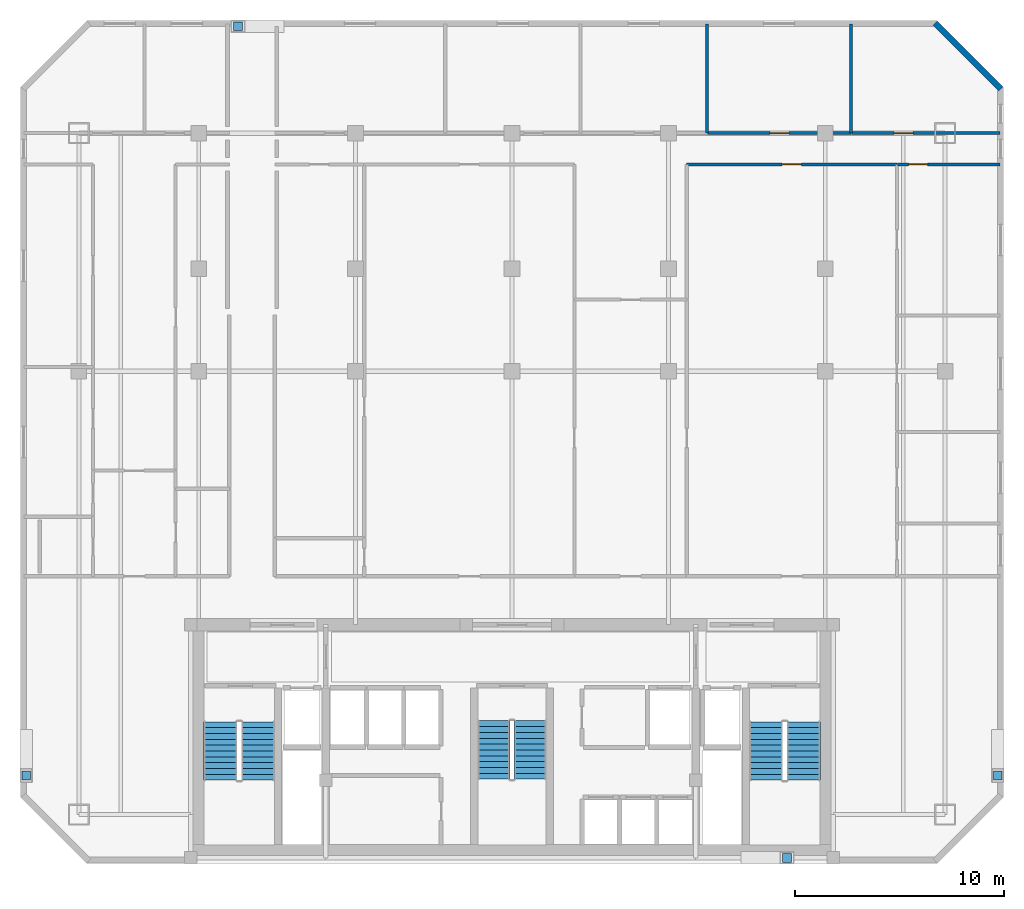
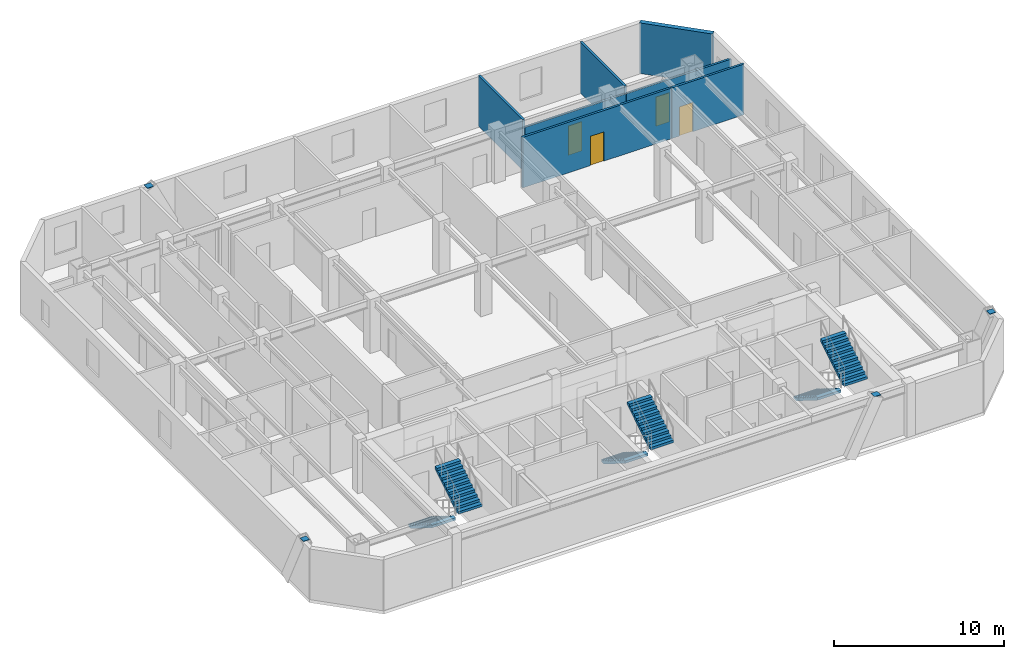
# One storey, part 6 of 7: 7 walls, 6 stair flights, 4 discrete accessories, 4 doors, 4 openings, 3 elements without a shape of their own.
"""IFC4 building model written with IfcOpenShell, lengths in metres."""

import ifcopenshell
import ifcopenshell.guid

model = None  # the IFC model being written
_history = None  # IfcOwnerHistory: only IFC2X3 demands one
_inside = {}  # id of a spatial element -> (the spatial element, [elements in it])
_under = {}  # id of a project, library or spatial element -> (it, [spatial elements below it])
_declared = {}  # id of a project -> (the project, [libraries it declares])
_typed = {}  # id of a type object -> (the type object, [elements of that type])
_made_of = {}  # id of a material, layer set ... -> (it, [elements and type objects made of it])


def new_model(schema):
    """Start an empty IFC model of exactly this schema.

    Asked for "IFC4X3", IfcOpenShell would pick the latest addendum, in which some entities
    have other attributes; the version numbers below select the first issue.
    IFC2X3 requires an IfcOwnerHistory on every rooted entity: one is made here for all.
    """
    global model, _history
    if schema == "IFC4X3":
        model = ifcopenshell.file(schema_version=(4, 3, 0, 0))
    else:
        model = ifcopenshell.file(schema=schema)
    _inside.clear()
    _under.clear()
    _declared.clear()
    _typed.clear()
    _made_of.clear()
    _history = None
    if model.schema == "IFC2X3":
        org = make("IfcOrganization", Name="unknown")
        user = make(
            "IfcPersonAndOrganization",
            ThePerson=make("IfcPerson", FamilyName="unknown"),
            TheOrganization=org,
        )
        app = make(
            "IfcApplication",
            ApplicationDeveloper=org,
            Version="unknown",
            ApplicationFullName="unknown",
            ApplicationIdentifier="unknown",
        )
        _history = make(
            "IfcOwnerHistory",
            OwningUser=user,
            OwningApplication=app,
            ChangeAction="ADDED",
            CreationDate=0,
        )
    return model


def make(cls, **values):
    """One entity of the class cls with the attributes given. An attribute that is None is left unset."""
    return model.create_entity(
        cls, **{name: value for name, value in values.items() if value is not None}
    )


def rooted(cls, **values):
    """An entity with a GlobalId (a new one), such as an element, a storey or a relation."""
    return make(cls, GlobalId=ifcopenshell.guid.new(), OwnerHistory=_history, **values)


def si_unit(unit_type, name, prefix=None):
    """IfcSIUnit, for example si_unit("LENGTHUNIT", "METRE", prefix="MILLI")."""
    return make("IfcSIUnit", UnitType=unit_type, Prefix=prefix, Name=name)


def assignment(units):
    """IfcUnitAssignment: the units of a project."""
    return None if units is None else make("IfcUnitAssignment", Units=units)


def point(xyz):
    """IfcCartesianPoint."""
    return None if xyz is None else make("IfcCartesianPoint", Coordinates=xyz)


def direction(xyz):
    """IfcDirection."""
    return None if xyz is None else make("IfcDirection", DirectionRatios=xyz)


def frame(location, z_axis=None, x_axis=None):
    """IfcAxis2Placement3D, a coordinate frame: its origin and axes. An axis left out is left unset."""
    return make(
        "IfcAxis2Placement3D",
        Location=point(location),
        Axis=direction(z_axis),
        RefDirection=direction(x_axis),
    )


def frame_2d(location, x_axis=None):
    """IfcAxis2Placement2D, a coordinate frame in the plane: its origin and x axis."""
    return make(
        "IfcAxis2Placement2D", Location=point(location), RefDirection=direction(x_axis)
    )


def origin():
    """The frame at (0, 0, 0) with its axes left unset."""
    return frame((0.0, 0.0, 0.0))


def origin_2d():
    """The frame at (0, 0) in the plane with its x axis left unset."""
    return frame_2d((0.0, 0.0))


def place(relative_to, where):
    """IfcLocalPlacement: puts the frame where relative to a parent placement (None: the world)."""
    return make(
        "IfcLocalPlacement", PlacementRelTo=relative_to, RelativePlacement=where
    )


def context(
    kind, dimensions, precision=None, world=None, true_north=None, identifier=None
):
    """IfcGeometricRepresentationContext, for example the 3D "Model" context."""
    return make(
        "IfcGeometricRepresentationContext",
        ContextIdentifier=identifier,
        ContextType=kind,
        CoordinateSpaceDimension=dimensions,
        Precision=precision,
        WorldCoordinateSystem=world,
        TrueNorth=true_north,
    )


def subcontext(parent, identifier, kind, view, scale=None):
    """IfcGeometricRepresentationSubContext, for example "Body" below "Model"."""
    return make(
        "IfcGeometricRepresentationSubContext",
        ContextIdentifier=identifier,
        ContextType=kind,
        ParentContext=parent,
        TargetScale=scale,
        TargetView=view,
    )


def project(units=None, contexts=None):
    """IfcProject with its units and contexts."""
    return rooted(
        "IfcProject",
        Name="project",
        RepresentationContexts=contexts,
        UnitsInContext=assignment(units),
    )


def spatial(cls, under=None, at=None, **own):
    """A site, building, storey or space (cls), placed at a placement, below another one or the project."""
    s = rooted(cls, ObjectPlacement=at, **own)
    if under is not None:
        _under.setdefault(under.id(), (under, []))[1].append(s)
    return s


def polyline(points):
    """IfcPolyline through the points."""
    return make("IfcPolyline", Points=[point(p) for p in points])


def profile(cls, at=None, kind="AREA", **sizes):
    """A parametric profile (cls). Its sizes go by their IFC names, for example OverallWidth=200.0."""
    return make(cls, ProfileType=kind, Position=at, **sizes)


def rectangle(**sizes):
    """IfcRectangleProfileDef."""
    return profile("IfcRectangleProfileDef", **sizes)


def outline(outer, holes=None, kind="AREA"):
    """IfcArbitraryClosedProfileDef: a profile drawn as a closed curve; with holes, ...WithVoids."""
    if holes is None:
        return make("IfcArbitraryClosedProfileDef", ProfileType=kind, OuterCurve=outer)
    return make(
        "IfcArbitraryProfileDefWithVoids",
        ProfileType=kind,
        OuterCurve=outer,
        InnerCurves=holes,
    )


def extrude(swept, where, along, depth):
    """IfcExtrudedAreaSolid: the profile swept, set in the frame where, extruded along a direction by depth."""
    return make(
        "IfcExtrudedAreaSolid",
        SweptArea=swept,
        Position=where,
        ExtrudedDirection=direction(along),
        Depth=depth,
    )


def shape(context_of_items, identifier, shape_type, items):
    """IfcShapeRepresentation: the items that make up one representation, for example the "Body"."""
    return make(
        "IfcShapeRepresentation",
        ContextOfItems=context_of_items,
        RepresentationIdentifier=identifier,
        RepresentationType=shape_type,
        Items=items,
    )


def material(Name=None, Category=None):
    """IfcMaterial."""
    return make("IfcMaterial", Name=Name, Category=Category)


def layer(
    of_material, thickness, ventilated=None, Name=None, Category=None, Priority=None
):
    """IfcMaterialLayer: one layer of a wall or slab, of a material (None: an air gap)."""
    return make(
        "IfcMaterialLayer",
        Material=of_material,
        LayerThickness=thickness,
        IsVentilated=ventilated,
        Name=Name,
        Category=Category,
        Priority=Priority,
    )


def layer_set(layers, Name=None):
    """IfcMaterialLayerSet."""
    return make("IfcMaterialLayerSet", MaterialLayers=layers, LayerSetName=Name)


def made_of(thing, what):
    """Note that an element or type object is made of a material, layer set ...; save() writes the relation."""
    if what is not None:
        _made_of.setdefault(what.id(), (what, []))[1].append(thing)
    return thing


def type_object(cls, material=None, **own):
    """A type object (cls), such as IfcWallType, which elements share."""
    return made_of(rooted(cls, **own), material)


def element(
    cls,
    number,
    at=None,
    inside=None,
    cuts=None,
    type_object=None,
    material=None,
    context=None,
    identifier="Body",
    shape_type=None,
    held_by="IfcProductDefinitionShape",
    body=None,
    shapes=None,
    **own,
):
    """One element of the class cls, such as IfcWall. Its Tag is "e" and its number.

    at: its placement. inside: the storey or other place that contains it. cuts: it is an
    opening in that element (IfcRelVoidsElement). A single representation is given by context,
    identifier, shape_type and body (its items); several are given by shapes. held_by: the class
    of the entity that holds the representations. save() writes the other relations.
    """
    e = rooted(cls, Tag="e%d" % number, ObjectPlacement=at, **own)
    if body is not None:
        shapes = [shape(context, identifier, shape_type, body)]
    if shapes is not None:
        e.Representation = make(held_by, Representations=shapes)
    if inside is not None:
        _inside.setdefault(inside.id(), (inside, []))[1].append(e)
    if cuts is not None:
        rooted(
            "IfcRelVoidsElement", RelatingBuildingElement=cuts, RelatedOpeningElement=e
        )
    if type_object is not None:
        _typed.setdefault(type_object.id(), (type_object, []))[1].append(e)
    return made_of(e, material)


def fill(opening, filler):
    """IfcRelFillsElement: the door or window that sits in an opening."""
    return rooted(
        "IfcRelFillsElement",
        RelatingOpeningElement=opening,
        RelatedBuildingElement=filler,
    )


def aggregate(whole, parts):
    """IfcRelAggregates: a whole, such as a stair, and the parts it consists of."""
    return rooted("IfcRelAggregates", RelatingObject=whole, RelatedObjects=parts)


def save(model, path):
    """Write the relations noted so far, then the file.

    IfcRelAggregates (storeys below a building ...), IfcRelContainedInSpatialStructure (elements
    in a storey), IfcRelDefinesByType, IfcRelAssociatesMaterial and IfcRelDeclares: one each for
    every whole, place, type object, material and project.
    """
    for whole, parts in _under.values():
        aggregate(whole, parts)
    for where, things in _inside.values():
        rooted(
            "IfcRelContainedInSpatialStructure",
            RelatedElements=things,
            RelatingStructure=where,
        )
    for kind, things in _typed.values():
        rooted("IfcRelDefinesByType", RelatedObjects=things, RelatingType=kind)
    for what, things in _made_of.values():
        rooted("IfcRelAssociatesMaterial", RelatedObjects=things, RelatingMaterial=what)
    for by, libraries in _declared.values():
        rooted("IfcRelDeclares", RelatingContext=by, RelatedDefinitions=libraries)
    model.write(path)


model = new_model("IFC4")

# Units and contexts
model_context = context("Model", 3, precision=1e-05, world=origin(), true_north=direction((0.0, 1.0)))
body_context = subcontext(model_context, "Body", "Model", "MODEL_VIEW")
ifc_project = project(units=[si_unit("LENGTHUNIT", "METRE"), si_unit("AREAUNIT", "SQUARE_METRE"), si_unit("VOLUMEUNIT", "CUBIC_METRE"), si_unit("PLANEANGLEUNIT", "RADIAN"), si_unit("MASSUNIT", "GRAM", prefix="KILO")], contexts=[model_context])

# Site, building, storey
site_placement = place(None, origin())
site = spatial("IfcSite", under=ifc_project, at=site_placement, CompositionType="ELEMENT")
building_placement = place(site_placement, origin())
building = spatial("IfcBuilding", under=site, at=building_placement, Name="Ventersveld Concourse Tower", CompositionType="ELEMENT")
storey_placement = place(building_placement, frame((0.0, 0.0, 211.85009765625)))
storey = spatial("IfcBuildingStorey", under=building, at=storey_placement, Name="L52", CompositionType="ELEMENT", Elevation=211.85009765625)

# Wall, opening, door
ifc_material_1 = material(Name="Autoclaved aerated masonry blockwork", Category="masonry")
ifc_layer_1 = layer(ifc_material_1, 0.14990234375)
ifc_layer_set_1 = layer_set([ifc_layer_1], Name="Autoclaved aerated masonry blockwork")
wall_type_1 = type_object("IfcWallType", Name="WL-INT-150", PredefinedType="PARTITIONING", material=ifc_layer_set_1)
wall_1_placement = place(storey_placement, frame((37.114990234375, 33.5, 0.0), z_axis=(0.0, 0.0, 1.0), x_axis=(1.0, 0.0, 0.0)))
wall_1 = element("IfcWall", 1, at=wall_1_placement, inside=storey, type_object=wall_type_1, Name="L52 Interior Partition SP-L52-52N1-EGAL1-SP-L52-52N1-LIV", PredefinedType="PARTITIONING", context=body_context, shape_type="SweptSolid", body=[
    extrude(rectangle(XDim=10.080078125, YDim=0.14990234375, at=frame_2d((5.0400390625, 0.0))), origin(), (0.0, 0.0, 1.0), 3.6298828125),
])
opening_1_placement = place(wall_1_placement, frame((4.580078125, 0.0, 0.0)))
opening_1 = element("IfcOpeningElement", 2, at=opening_1_placement, cuts=wall_1, Name="Opening ID1", PredefinedType="OPENING", context=body_context, shape_type="SweptSolid", body=[
    extrude(rectangle(XDim=0.919921875, YDim=2.10009765625, at=frame_2d((0.4599609375, 1.050048828125))), frame((0.0, 0.0849609375, 0.0), z_axis=(0.0, -1.0, 0.0), x_axis=(1.0, 0.0, 0.0)), (0.0, 0.0, 1.0), 0.169921875),
])
ifc_material_2 = material(Name="Solid-core hardwood veneer timber", Category="wood")
door_type = type_object("IfcDoorType", Name="DR-ROOM-092", OperationType="NOTDEFINED", PredefinedType="DOOR", material=ifc_material_2)
door_1_placement = place(opening_1_placement, origin())
door_1 = element("IfcDoor", 3, at=door_1_placement, inside=storey, type_object=door_type, Name="L52 Interior Door SP-L52-52N1-EGAL1 to SP-L52-52N1-LIV (D-L52-2540)", OperationType="SINGLE_SWING_RIGHT", OverallHeight=2.10009765625, OverallWidth=0.919921875, PredefinedType="DOOR", context=body_context, shape_type="SweptSolid", body=[
    extrude(rectangle(XDim=0.919921875, YDim=2.10009765625, at=frame_2d((0.4599609375, 1.050048828125))), frame((0.0, 0.02490234375, 0.0), z_axis=(0.0, -1.0, 0.0), x_axis=(1.0, 0.0, 0.0)), (0.0, 0.0, 1.0), 0.050048828125),
])
fill(opening_1, door_1)

wall_2_placement = place(storey_placement, frame((47.22509765625, 33.5, 0.0), z_axis=(0.0, 0.0, 1.0), x_axis=(1.0, 0.0, 0.0)))
wall_2 = element("IfcWall", 4, at=wall_2_placement, inside=storey, type_object=wall_type_1, Name="L52 Interior Partition SP-L52-52N1-LIV-SP-L52-52N1-DENS2", PredefinedType="PARTITIONING", context=body_context, shape_type="SweptSolid", body=[
    extrude(rectangle(XDim=4.90234375, YDim=0.14990234375, at=frame_2d((2.451171875, 0.0))), origin(), (0.0, 0.0, 1.0), 3.6298828125),
])
opening_2_placement = place(wall_2_placement, frame((0.5205078125, 0.0, 0.0)))
opening_2 = element("IfcOpeningElement", 5, at=opening_2_placement, cuts=wall_2, Name="Opening ID1", PredefinedType="OPENING", context=body_context, shape_type="SweptSolid", body=[
    extrude(rectangle(XDim=0.919921875, YDim=2.10009765625, at=frame_2d((0.4599609375, 1.050048828125))), frame((0.0, 0.0849609375, 0.0), z_axis=(0.0, -1.0, 0.0), x_axis=(1.0, 0.0, 0.0)), (0.0, 0.0, 1.0), 0.169921875),
])
door_2_placement = place(opening_2_placement, origin())
door_2 = element("IfcDoor", 6, at=door_2_placement, inside=storey, type_object=door_type, Name="L52 Interior Door SP-L52-52N1-LIV to SP-L52-52N1-DENS2 (D-L52-2547)", OperationType="SINGLE_SWING_LEFT", OverallHeight=2.10009765625, OverallWidth=0.919921875, PredefinedType="DOOR", context=body_context, shape_type="SweptSolid", body=[
    extrude(rectangle(XDim=0.919921875, YDim=2.10009765625, at=frame_2d((0.4599609375, 1.050048828125))), frame((0.0, 0.02490234375, 0.0), z_axis=(0.0, -1.0, 0.0), x_axis=(1.0, 0.0, 0.0)), (0.0, 0.0, 1.0), 0.050048828125),
])
fill(opening_2, door_2)

wall_3_placement = place(storey_placement, frame((38.125, 35.0, 0.0), z_axis=(0.0, 0.0, 1.0), x_axis=(1.0, 0.0, 0.0)))
wall_3 = element("IfcWall", 7, at=wall_3_placement, inside=storey, type_object=wall_type_1, Name="L52 Interior Partition SP-L52-52N1-LIV-SP-L52-52N1-BR4", PredefinedType="PARTITIONING", context=body_context, shape_type="SweptSolid", body=[
    extrude(rectangle(XDim=6.8701171875, YDim=0.14990234375, at=frame_2d((3.43505859375, 0.0))), origin(), (0.0, 0.0, 1.0), 3.08544921875),
])
opening_3_placement = place(wall_3_placement, frame((2.97509765625, 0.0, 0.0)))
opening_3 = element("IfcOpeningElement", 8, at=opening_3_placement, cuts=wall_3, Name="Opening ID1", PredefinedType="OPENING", context=body_context, shape_type="SweptSolid", body=[
    extrude(rectangle(XDim=0.919921875, YDim=2.10009765625, at=frame_2d((0.4599609375, 1.050048828125))), frame((0.0, 0.0849609375, 0.0), z_axis=(0.0, -1.0, 0.0), x_axis=(1.0, 0.0, 0.0)), (0.0, 0.0, 1.0), 0.169921875),
])
door_3_placement = place(opening_3_placement, origin())
door_3 = element("IfcDoor", 9, at=door_3_placement, inside=storey, type_object=door_type, Name="L52 Interior Door SP-L52-52N1-LIV to SP-L52-52N1-BR4 (D-L52-2551)", OperationType="SINGLE_SWING_LEFT", OverallHeight=2.10009765625, OverallWidth=0.919921875, PredefinedType="DOOR", context=body_context, shape_type="SweptSolid", body=[
    extrude(rectangle(XDim=0.919921875, YDim=2.10009765625, at=frame_2d((0.4599609375, 1.050048828125))), frame((0.0, 0.02490234375, 0.0), z_axis=(0.0, -1.0, 0.0), x_axis=(1.0, 0.0, 0.0)), (0.0, 0.0, 1.0), 0.050048828125),
])
fill(opening_3, door_3)

wall_4_placement = place(storey_placement, frame((45.02490234375, 35.0, 0.0), z_axis=(0.0, 0.0, 1.0), x_axis=(1.0, 0.0, 0.0)))
wall_4 = element("IfcWall", 10, at=wall_4_placement, inside=storey, type_object=wall_type_1, Name="L52 Interior Partition SP-L52-52N1-LIV-SP-L52-52N1-BR5", PredefinedType="PARTITIONING", context=body_context, shape_type="SweptSolid", body=[
    extrude(rectangle(XDim=7.1025390625, YDim=0.14990234375, at=frame_2d((3.55126953125, 0.0))), origin(), (0.0, 0.0, 1.0), 3.08544921875),
])
opening_4_placement = place(wall_4_placement, frame((2.02587890625, 0.0, 0.0)))
opening_4 = element("IfcOpeningElement", 11, at=opening_4_placement, cuts=wall_4, Name="Opening ID1", PredefinedType="OPENING", context=body_context, shape_type="SweptSolid", body=[
    extrude(rectangle(XDim=0.919921875, YDim=2.10009765625, at=frame_2d((0.4599609375, 1.050048828125))), frame((0.0, 0.0849609375, 0.0), z_axis=(0.0, -1.0, 0.0), x_axis=(1.0, 0.0, 0.0)), (0.0, 0.0, 1.0), 0.169921875),
])
door_4_placement = place(opening_4_placement, origin())
door_4 = element("IfcDoor", 12, at=door_4_placement, inside=storey, type_object=door_type, Name="L52 Interior Door SP-L52-52N1-LIV to SP-L52-52N1-BR5 (D-L52-2552)", OperationType="SINGLE_SWING_RIGHT", OverallHeight=2.10009765625, OverallWidth=0.919921875, PredefinedType="DOOR", context=body_context, shape_type="SweptSolid", body=[
    extrude(rectangle(XDim=0.919921875, YDim=2.10009765625, at=frame_2d((0.4599609375, 1.050048828125))), frame((0.0, 0.02490234375, 0.0), z_axis=(0.0, -1.0, 0.0), x_axis=(1.0, 0.0, 0.0)), (0.0, 0.0, 1.0), 0.050048828125),
])
fill(opening_4, door_4)

# Walls
for number, where, z_axis, x_axis, name in (
    (13, (38.090087890625, 34.9951171875, 0.0), (0.0, 0.0, 1.0), (0.0, 1.0, 0.0), "L52 Interior Partition SP-L52-52N1-BR3-SP-L52-52N1-BR4"),
    (14, (44.989990234375, 34.9951171875, 0.0), (0.0, 0.0, 1.0), (0.0, 1.0, 0.0), "L52 Interior Partition SP-L52-52N1-BR4-SP-L52-52N1-BR5"),
):
    element("IfcWall", number, at=place(storey_placement, frame(where, z_axis=z_axis, x_axis=x_axis)), inside=storey, type_object=wall_type_1, Name=name, PredefinedType="PARTITIONING", context=body_context, shape_type="SweptSolid", body=[
        extrude(rectangle(XDim=5.232421875, YDim=0.14990234375, at=frame_2d((2.6162109375, 0.0))), origin(), (0.0, 0.0, 1.0), 3.6298828125),
    ])
ifc_material_3 = material(Name="Precast concrete C45/55", Category="concrete")
ifc_layer_2 = layer(ifc_material_3, 0.300048828125)
ifc_layer_set_2 = layer_set([ifc_layer_2], Name="Precast concrete C45/55")
wall_type_2 = type_object("IfcWallType", Name="WL-PREC-300", PredefinedType="SOLIDWALL", material=ifc_layer_set_2)
wall_5_placement = place(storey_placement, frame((52.16552734375, 37.122314453125, 0.0), z_axis=(0.0, 0.0, 1.0), x_axis=(-0.707106781187, 0.707106781187, 0.0)))
element("IfcWall", 15, at=wall_5_placement, inside=storey, type_object=wall_type_2, Name="L52 Highveld Precast Facade Wall E04", PredefinedType="SOLIDWALL", context=body_context, shape_type="SweptSolid", body=[
    extrude(rectangle(XDim=4.4453125, YDim=0.300048828125, at=frame_2d((2.22265625, 0.0))), origin(), (0.0, 0.0, 1.0), 3.6298828125),
])

# Stair, stair flights
ifc_material_4 = material(Name="Concrete C50/60", Category="concrete")
stair_type_1 = type_object("IfcStairType", Name="ST-DOG-155", PredefinedType="HALF_TURN_STAIR", material=ifc_material_4)
stair_1_placement = place(storey_placement, origin())
stair_1 = element("IfcStair", 16, at=stair_1_placement, inside=storey, type_object=stair_type_1, Name="L52 Protected Central Core Escape Stair ST-03", PredefinedType="HALF_TURN_STAIR")
stair_flight_type_1 = type_object("IfcStairFlightType", Name="STF-RC-155", PredefinedType="STRAIGHT", material=ifc_material_4)
stair_flight_1_placement = place(storey_placement, frame((27.875, 6.85009765625, 0.0), z_axis=(0.0, 0.0, 1.0), x_axis=(0.0, -1.0, 0.0)))
stair_flight_1 = element("IfcStairFlight", 17, at=stair_flight_1_placement, type_object=stair_flight_type_1, Name="ST-03 flight 1", NumberOfRisers=11, NumberOfTreads=10, PredefinedType="STRAIGHT", RiserHeight=0.175, TreadLength=0.28, context=body_context, shape_type="SweptSolid", body=[
    extrude(outline(polyline([(0.0, 0.0), (0.0, 0.175048828125), (0.280029296875, 0.175048828125), (0.280029296875, 0.35009765625), (0.56005859375, 0.35009765625), (0.56005859375, 0.52490234375), (0.840087890625, 0.52490234375), (0.840087890625, 0.699951171875), (1.1201171875, 0.699951171875), (1.1201171875, 0.875), (1.39990234375, 0.875), (1.39990234375, 1.050048828125), (1.679931640625, 1.050048828125), (1.679931640625, 1.22509765625), (1.9599609375, 1.22509765625), (1.9599609375, 1.39990234375), (2.239990234375, 1.39990234375), (2.239990234375, 1.574951171875), (2.52001953125, 1.574951171875), (2.52001953125, 1.75), (2.800048828125, 1.75), (2.800048828125, 1.925048828125), (2.800048828125, 1.5732421875), (0.28271484375, 0.0), (0.0, 0.0)])), frame((0.0, 0.77490234375, 0.0), z_axis=(0.0, -1.0, 0.0), x_axis=(1.0, 0.0, 0.0)), (0.0, 0.0, 1.0), 1.550048828125),
])
stair_flight_2_placement = place(storey_placement, frame((29.625, 4.050048828125, 1.9248046875), z_axis=(0.0, 0.0, 1.0), x_axis=(0.0, 1.0, 0.0)))
stair_flight_2 = element("IfcStairFlight", 18, at=stair_flight_2_placement, type_object=stair_flight_type_1, Name="ST-03 flight 2", NumberOfRisers=11, NumberOfTreads=10, PredefinedType="STRAIGHT", RiserHeight=0.175, TreadLength=0.28, context=body_context, shape_type="SweptSolid", body=[
    extrude(outline(polyline([(0.0, 0.0), (0.0, 0.175048828125), (0.280029296875, 0.175048828125), (0.280029296875, 0.35009765625), (0.56005859375, 0.35009765625), (0.56005859375, 0.52490234375), (0.840087890625, 0.52490234375), (0.840087890625, 0.699951171875), (1.1201171875, 0.699951171875), (1.1201171875, 0.875), (1.39990234375, 0.875), (1.39990234375, 1.050048828125), (1.679931640625, 1.050048828125), (1.679931640625, 1.22509765625), (1.9599609375, 1.22509765625), (1.9599609375, 1.39990234375), (2.239990234375, 1.39990234375), (2.239990234375, 1.574951171875), (2.52001953125, 1.574951171875), (2.52001953125, 1.75), (2.800048828125, 1.75), (2.800048828125, 1.925048828125), (2.800048828125, 1.5732421875), (0.28271484375, 0.0), (0.0, 0.0)])), frame((0.0, 0.77490234375, 0.0), z_axis=(0.0, -1.0, 0.0), x_axis=(1.0, 0.0, 0.0)), (0.0, 0.0, 1.0), 1.550048828125),
])
aggregate(stair_1, [stair_flight_1, stair_flight_2])

stair_type_2 = type_object("IfcStairType", Name="ST-DOG-160", PredefinedType="HALF_TURN_STAIR", material=ifc_material_4)
stair_2_placement = place(storey_placement, origin())
stair_2 = element("IfcStair", 19, at=stair_2_placement, inside=storey, type_object=stair_type_2, Name="L52 Protected Tower Escape Stair ST-01", PredefinedType="HALF_TURN_STAIR")
stair_flight_type_2 = type_object("IfcStairFlightType", Name="STF-RC-160", PredefinedType="STRAIGHT", material=ifc_material_4)
stair_flight_3_placement = place(storey_placement, frame((14.780029296875, 6.800048828125, 0.0), z_axis=(0.0, 0.0, 1.0), x_axis=(0.0, -1.0, 0.0)))
stair_flight_3 = element("IfcStairFlight", 20, at=stair_flight_3_placement, type_object=stair_flight_type_2, Name="ST-01 flight 1", NumberOfRisers=11, NumberOfTreads=10, PredefinedType="STRAIGHT", RiserHeight=0.175, TreadLength=0.28, context=body_context, shape_type="SweptSolid", body=[
    extrude(outline(polyline([(0.0, 0.0), (0.0, 0.175048828125), (0.280029296875, 0.175048828125), (0.280029296875, 0.35009765625), (0.56005859375, 0.35009765625), (0.56005859375, 0.52490234375), (0.840087890625, 0.52490234375), (0.840087890625, 0.699951171875), (1.1201171875, 0.699951171875), (1.1201171875, 0.875), (1.39990234375, 0.875), (1.39990234375, 1.050048828125), (1.679931640625, 1.050048828125), (1.679931640625, 1.22509765625), (1.9599609375, 1.22509765625), (1.9599609375, 1.39990234375), (2.239990234375, 1.39990234375), (2.239990234375, 1.574951171875), (2.52001953125, 1.574951171875), (2.52001953125, 1.75), (2.800048828125, 1.75), (2.800048828125, 1.925048828125), (2.800048828125, 1.5732421875), (0.28271484375, 0.0), (0.0, 0.0)])), frame((0.0, 0.800048828125, 0.0), z_axis=(0.0, -1.0, 0.0), x_axis=(1.0, 0.0, 0.0)), (0.0, 0.0, 1.0), 1.60009765625),
])
stair_flight_4_placement = place(storey_placement, frame((16.580078125, 4.0, 1.9248046875), z_axis=(0.0, 0.0, 1.0), x_axis=(0.0, 1.0, 0.0)))
stair_flight_4 = element("IfcStairFlight", 21, at=stair_flight_4_placement, type_object=stair_flight_type_2, Name="ST-01 flight 2", NumberOfRisers=11, NumberOfTreads=10, PredefinedType="STRAIGHT", RiserHeight=0.175, TreadLength=0.28, context=body_context, shape_type="SweptSolid", body=[
    extrude(outline(polyline([(0.0, 0.0), (0.0, 0.175048828125), (0.280029296875, 0.175048828125), (0.280029296875, 0.35009765625), (0.56005859375, 0.35009765625), (0.56005859375, 0.52490234375), (0.840087890625, 0.52490234375), (0.840087890625, 0.699951171875), (1.1201171875, 0.699951171875), (1.1201171875, 0.875), (1.39990234375, 0.875), (1.39990234375, 1.050048828125), (1.679931640625, 1.050048828125), (1.679931640625, 1.22509765625), (1.9599609375, 1.22509765625), (1.9599609375, 1.39990234375), (2.239990234375, 1.39990234375), (2.239990234375, 1.574951171875), (2.52001953125, 1.574951171875), (2.52001953125, 1.75), (2.800048828125, 1.75), (2.800048828125, 1.925048828125), (2.800048828125, 1.5732421875), (0.28271484375, 0.0), (0.0, 0.0)])), frame((0.0, 0.800048828125, 0.0), z_axis=(0.0, -1.0, 0.0), x_axis=(1.0, 0.0, 0.0)), (0.0, 0.0, 1.0), 1.60009765625),
])
aggregate(stair_2, [stair_flight_3, stair_flight_4])

stair_3_placement = place(storey_placement, origin())
stair_3 = element("IfcStair", 22, at=stair_3_placement, inside=storey, type_object=stair_type_2, Name="L52 Protected Tower Escape Stair ST-02", PredefinedType="HALF_TURN_STAIR")
stair_flight_5_placement = place(storey_placement, frame((40.919921875, 6.800048828125, 0.0), z_axis=(0.0, 0.0, 1.0), x_axis=(0.0, -1.0, 0.0)))
stair_flight_5 = element("IfcStairFlight", 23, at=stair_flight_5_placement, type_object=stair_flight_type_2, Name="ST-02 flight 1", NumberOfRisers=11, NumberOfTreads=10, PredefinedType="STRAIGHT", RiserHeight=0.175, TreadLength=0.28, context=body_context, shape_type="SweptSolid", body=[
    extrude(outline(polyline([(0.0, 0.0), (0.0, 0.175048828125), (0.280029296875, 0.175048828125), (0.280029296875, 0.35009765625), (0.56005859375, 0.35009765625), (0.56005859375, 0.52490234375), (0.840087890625, 0.52490234375), (0.840087890625, 0.699951171875), (1.1201171875, 0.699951171875), (1.1201171875, 0.875), (1.39990234375, 0.875), (1.39990234375, 1.050048828125), (1.679931640625, 1.050048828125), (1.679931640625, 1.22509765625), (1.9599609375, 1.22509765625), (1.9599609375, 1.39990234375), (2.239990234375, 1.39990234375), (2.239990234375, 1.574951171875), (2.52001953125, 1.574951171875), (2.52001953125, 1.75), (2.800048828125, 1.75), (2.800048828125, 1.925048828125), (2.800048828125, 1.5732421875), (0.28271484375, 0.0), (0.0, 0.0)])), frame((0.0, 0.800048828125, 0.0), z_axis=(0.0, -1.0, 0.0), x_axis=(1.0, 0.0, 0.0)), (0.0, 0.0, 1.0), 1.60009765625),
])
stair_flight_6_placement = place(storey_placement, frame((42.719970703125, 4.0, 1.9248046875), z_axis=(0.0, 0.0, 1.0), x_axis=(0.0, 1.0, 0.0)))
stair_flight_6 = element("IfcStairFlight", 24, at=stair_flight_6_placement, type_object=stair_flight_type_2, Name="ST-02 flight 2", NumberOfRisers=11, NumberOfTreads=10, PredefinedType="STRAIGHT", RiserHeight=0.175, TreadLength=0.28, context=body_context, shape_type="SweptSolid", body=[
    extrude(outline(polyline([(0.0, 0.0), (0.0, 0.175048828125), (0.280029296875, 0.175048828125), (0.280029296875, 0.35009765625), (0.56005859375, 0.35009765625), (0.56005859375, 0.52490234375), (0.840087890625, 0.52490234375), (0.840087890625, 0.699951171875), (1.1201171875, 0.699951171875), (1.1201171875, 0.875), (1.39990234375, 0.875), (1.39990234375, 1.050048828125), (1.679931640625, 1.050048828125), (1.679931640625, 1.22509765625), (1.9599609375, 1.22509765625), (1.9599609375, 1.39990234375), (2.239990234375, 1.39990234375), (2.239990234375, 1.574951171875), (2.52001953125, 1.574951171875), (2.52001953125, 1.75), (2.800048828125, 1.75), (2.800048828125, 1.925048828125), (2.800048828125, 1.5732421875), (0.28271484375, 0.0), (0.0, 0.0)])), frame((0.0, 0.800048828125, 0.0), z_axis=(0.0, -1.0, 0.0), x_axis=(1.0, 0.0, 0.0)), (0.0, 0.0, 1.0), 1.60009765625),
])
aggregate(stair_3, [stair_flight_5, stair_flight_6])

# Discrete accessories
ifc_material_5 = material(Name="Structural steel S355J2", Category="steel")
discrete_accessory_type = type_object("IfcDiscreteAccessoryType", Name="CONN-BRACE-ECP1", PredefinedType="BRACKET", material=ifc_material_5)
for number, where, z_axis, x_axis, name in (
    (25, (15.625, 40.1201171875, 3.60986328125), (0.0, 0.0, 1.0), (1.0, 0.0, 0.0), "L52 Steel Brace End Connection Plate ECP1-0387"),
    (26, (41.925048828125, 0.280029296875, 3.60986328125), (0.0, 0.0, 1.0), (1.0, 0.0, 0.0), "L52 Steel Brace End Connection Plate ECP1-0391"),
    (27, (5.47998046875, 4.22509765625, 3.60986328125), (0.0, 0.0, 1.0), (1.0, 0.0, 0.0), "L52 Steel Brace End Connection Plate ECP1-0395"),
    (28, (52.02001953125, 4.22509765625, 3.60986328125), (0.0, 0.0, 1.0), (1.0, 0.0, 0.0), "L52 Steel Brace End Connection Plate ECP1-0399"),
):
    element("IfcDiscreteAccessory", number, at=place(storey_placement, frame(where, z_axis=z_axis, x_axis=x_axis)), inside=storey, type_object=discrete_accessory_type, Name=name, PredefinedType="BRACKET", context=body_context, shape_type="SweptSolid", body=[
        extrude(rectangle(XDim=0.419921875, YDim=0.419921875, at=origin_2d()), origin(), (0.0, 0.0, 1.0), 0.0400390625),
    ])

save(model, "model.ifc")
